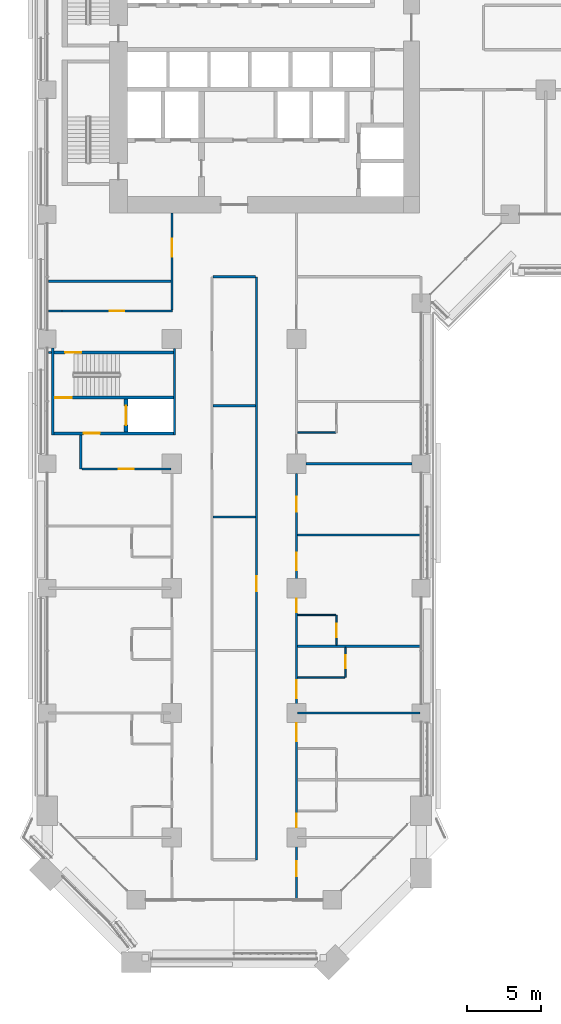
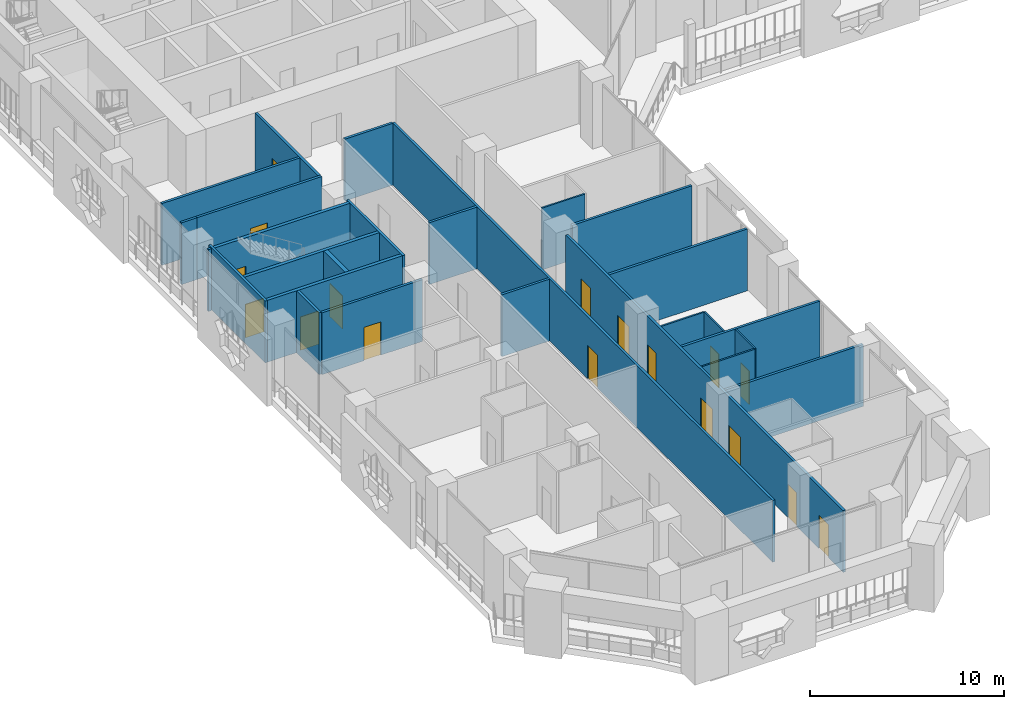
# One storey, part 14 of 28: 27 walls, 17 doors, 17 openings.
"""IFC4 building model written with IfcOpenShell, lengths in metres."""

from ifc_helpers import new_model, si_unit, direction, frame, frame_2d, origin, place, context, subcontext, project, spatial, rectangle, extrude, material, layer, layer_set, type_object, element, fill, save


model = new_model("IFC4")

# Units and contexts
model_context = context("Model", 3, precision=1e-05, world=origin(), true_north=direction((0.0, 1.0)))
body_context = subcontext(model_context, "Body", "Model", "MODEL_VIEW")
ifc_project = project(units=[si_unit("LENGTHUNIT", "METRE"), si_unit("AREAUNIT", "SQUARE_METRE"), si_unit("VOLUMEUNIT", "CUBIC_METRE"), si_unit("PLANEANGLEUNIT", "RADIAN"), si_unit("MASSUNIT", "GRAM", prefix="KILO")], contexts=[model_context])

# Site, building, storey
site_placement = place(None, origin())
site = spatial("IfcSite", under=ifc_project, at=site_placement, CompositionType="ELEMENT")
building_placement = place(site_placement, origin())
building = spatial("IfcBuilding", under=site, at=building_placement, Name="Kawkab Arch Medical Tower", CompositionType="ELEMENT")
storey_placement = place(building_placement, frame((0.0, 0.0, 56.0)))
storey = spatial("IfcBuildingStorey", under=building, at=storey_placement, Name="L12", CompositionType="ELEMENT", Elevation=56.0)

# Wall, opening, door
ifc_material_1 = material(Name="Concrete C60/75", Category="concrete")
ifc_layer_1 = layer(ifc_material_1, 0.25)
ifc_layer_set_1 = layer_set([ifc_layer_1], Name="Concrete C60/75")
wall_type_1 = type_object("IfcWallType", Name="Core shear wall 250 C60/75", PredefinedType="SHEAR", material=ifc_layer_set_1)
wall_1_placement = place(storey_placement, frame((5.300048828125, -39.85009765625, 0.0), z_axis=(0.0, 0.0, 1.0), x_axis=(0.0, 1.0, 0.0)))
wall_1 = element("IfcWall", 1, at=wall_1_placement, inside=storey, type_object=wall_type_1, Name="L12 core shear wall", PredefinedType="SHEAR", context=body_context, shape_type="SweptSolid", body=[
    extrude(rectangle(XDim=2.2001953125, YDim=0.25, at=frame_2d((1.10009765625, 0.0))), origin(), (0.0, 0.0, 1.0), 3.89990234375),
])
opening_1_placement = place(wall_1_placement, frame((0.449951171875, 0.0, 0.0)))
opening_1 = element("IfcOpeningElement", 2, at=opening_1_placement, cuts=wall_1, Name="Opening LD2", PredefinedType="OPENING", context=body_context, shape_type="SweptSolid", body=[
    extrude(rectangle(XDim=1.300048828125, YDim=2.10009765625, at=frame_2d((0.64990234375, 1.050048828125))), frame((0.0, 0.135009765625, 0.0), z_axis=(0.0, -1.0, 0.0), x_axis=(1.0, 0.0, 0.0)), (0.0, 0.0, 1.0), 0.27001953125),
])
ifc_material_2 = material(Name="Stainless steel lift door leaf", Category="steel")
door_type_1 = type_object("IfcDoorType", Name="Lift landing door 1300", OperationType="DOUBLE_DOOR_SLIDING", PredefinedType="DOOR", material=ifc_material_2)
door_1_placement = place(opening_1_placement, origin())
door_1 = element("IfcDoor", 3, at=door_1_placement, inside=storey, type_object=door_type_1, Name="L12 Lift landing door SV2", OperationType="DOUBLE_DOOR_SLIDING", OverallHeight=2.10009765625, OverallWidth=1.300048828125, PredefinedType="DOOR", context=body_context, shape_type="SweptSolid", body=[
    extrude(rectangle(XDim=1.300048828125, YDim=2.10009765625, at=frame_2d((0.64990234375, 1.050048828125))), frame((0.0, 0.02490234375, 0.0), z_axis=(0.0, -1.0, 0.0), x_axis=(1.0, 0.0, 0.0)), (0.0, 0.0, 1.0), 0.050048828125),
])
fill(opening_1, door_1)

# Walls
ifc_material_3 = material(Name="Gypsum board partition on steel studs", Category="steel")
ifc_layer_2 = layer(ifc_material_3, 0.10009765625)
ifc_layer_set_2 = layer_set([ifc_layer_2], Name="Gypsum board partition on steel studs")
wall_type_2 = type_object("IfcWallType", Name="Partition 100", PredefinedType="PARTITIONING", material=ifc_layer_set_2)
wall_2_placement = place(storey_placement, frame((16.875, -56.39990234375, 0.0), z_axis=(0.0, 0.0, 1.0), x_axis=(1.0, 0.0, 0.0)))
element("IfcWall", 4, at=wall_2_placement, inside=storey, type_object=wall_type_2, Name="Partition 100 w005", PredefinedType="PARTITIONING", context=body_context, shape_type="SweptSolid", body=[
    extrude(rectangle(XDim=3.175048828125, YDim=0.10009765625, at=frame_2d((1.58740234375, 0.0))), origin(), (0.0, 0.0, 1.0), 3.89990234375),
])
wall_3_placement = place(storey_placement, frame((16.875, -52.199951171875, 0.0), z_axis=(0.0, 0.0, 1.0), x_axis=(1.0, 0.0, 0.0)))
element("IfcWall", 5, at=wall_3_placement, inside=storey, type_object=wall_type_2, Name="Partition 100 w008", PredefinedType="PARTITIONING", context=body_context, shape_type="SweptSolid", body=[
    extrude(rectangle(XDim=2.573974609375, YDim=0.10009765625, at=frame_2d((1.287109375, 0.0))), origin(), (0.0, 0.0, 1.0), 3.89990234375),
])
wall_4_placement = place(storey_placement, frame((16.875, -39.89990234375, 0.0), z_axis=(0.0, 0.0, 1.0), x_axis=(1.0, 0.0, 0.0)))
element("IfcWall", 6, at=wall_4_placement, inside=storey, type_object=wall_type_2, Name="Partition 100 w010", PredefinedType="PARTITIONING", context=body_context, shape_type="SweptSolid", body=[
    extrude(rectangle(XDim=2.574951171875, YDim=0.10009765625, at=frame_2d((1.28759765625, 0.0))), origin(), (0.0, 0.0, 1.0), 3.89990234375),
])

# Wall, opening, door
wall_5_placement = place(storey_placement, frame((19.5, -54.22509765625, 0.0), z_axis=(0.0, 0.0, 1.0), x_axis=(0.0, 1.0, 0.0)))
wall_5 = element("IfcWall", 7, at=wall_5_placement, inside=storey, type_object=wall_type_2, Name="Partition 100 w024", PredefinedType="PARTITIONING", context=body_context, shape_type="SweptSolid", body=[
    extrude(rectangle(XDim=2.023193359375, YDim=0.10009765625, at=frame_2d((1.01171875, 0.0))), origin(), (0.0, 0.0, 1.0), 3.89990234375),
])
opening_2_placement = place(wall_5_placement, frame((0.52392578125, 0.0, 0.0)))
opening_2 = element("IfcOpeningElement", 8, at=opening_2_placement, cuts=wall_5, Name="Opening W12-021", PredefinedType="OPENING", context=body_context, shape_type="SweptSolid", body=[
    extrude(rectangle(XDim=0.89990234375, YDim=2.10009765625, at=frame_2d((0.449951171875, 1.050048828125))), frame((0.0, 0.06005859375, 0.0), z_axis=(0.0, -1.0, 0.0), x_axis=(1.0, 0.0, 0.0)), (0.0, 0.0, 1.0), 0.1201171875),
])
ifc_material_4 = material(Name="Timber door leaf", Category="wood")
door_type_2 = type_object("IfcDoorType", Name="Single door 900x2100", OperationType="NOTDEFINED", PredefinedType="DOOR", material=ifc_material_4)
door_2_placement = place(opening_2_placement, origin())
door_2 = element("IfcDoor", 9, at=door_2_placement, inside=storey, type_object=door_type_2, Name="Door W12-021", OperationType="SINGLE_SWING_LEFT", OverallHeight=2.10009765625, OverallWidth=0.89990234375, PredefinedType="DOOR", context=body_context, shape_type="SweptSolid", body=[
    extrude(rectangle(XDim=0.89990234375, YDim=2.10009765625, at=frame_2d((0.449951171875, 1.050048828125))), frame((0.0, 0.02490234375, 0.0), z_axis=(0.0, -1.0, 0.0), x_axis=(1.0, 0.0, 0.0)), (0.0, 0.0, 1.0), 0.050048828125),
])
fill(opening_2, door_2)

wall_6_placement = place(storey_placement, frame((20.10009765625, -56.39990234375, 0.0), z_axis=(0.0, 0.0, 1.0), x_axis=(0.0, 1.0, 0.0)))
wall_6 = element("IfcWall", 10, at=wall_6_placement, inside=storey, type_object=wall_type_2, Name="Partition 100 w026", PredefinedType="PARTITIONING", context=body_context, shape_type="SweptSolid", body=[
    extrude(rectangle(XDim=2.02490234375, YDim=0.10009765625, at=frame_2d((1.012451171875, 0.0))), origin(), (0.0, 0.0, 1.0), 3.89990234375),
])
opening_3_placement = place(wall_6_placement, frame((0.60009765625, 0.0, 0.0)))
opening_3 = element("IfcOpeningElement", 11, at=opening_3_placement, cuts=wall_6, Name="Opening W12-022", PredefinedType="OPENING", context=body_context, shape_type="SweptSolid", body=[
    extrude(rectangle(XDim=0.89990234375, YDim=2.10009765625, at=frame_2d((0.449951171875, 1.050048828125))), frame((0.0, 0.06005859375, 0.0), z_axis=(0.0, -1.0, 0.0), x_axis=(1.0, 0.0, 0.0)), (0.0, 0.0, 1.0), 0.1201171875),
])
door_3_placement = place(opening_3_placement, origin())
door_3 = element("IfcDoor", 12, at=door_3_placement, inside=storey, type_object=door_type_2, Name="Door W12-022", OperationType="SINGLE_SWING_LEFT", OverallHeight=2.10009765625, OverallWidth=0.89990234375, PredefinedType="DOOR", context=body_context, shape_type="SweptSolid", body=[
    extrude(rectangle(XDim=0.89990234375, YDim=2.10009765625, at=frame_2d((0.449951171875, 1.050048828125))), frame((0.0, 0.02490234375, 0.0), z_axis=(0.0, -1.0, 0.0), x_axis=(1.0, 0.0, 0.0)), (0.0, 0.0, 1.0), 0.050048828125),
])
fill(opening_3, door_3)

# Walls
ifc_material_5 = material(Name="Gypsum board partition on steel studs, mineral wool", Category="steel")
ifc_layer_3 = layer(ifc_material_5, 0.14990234375)
ifc_layer_set_3 = layer_set([ifc_layer_3], Name="Gypsum board partition on steel studs, mineral wool")
wall_type_3 = type_object("IfcWallType", Name="Partition 150", PredefinedType="PARTITIONING", material=ifc_layer_set_3)
for number, where, z_axis, x_axis, name in (
    (13, (16.875, -58.800048828125, 0.0), (0.0, 0.0, 1.0), (1.0, 0.0, 0.0), "Partition 150 w044"),
    (14, (16.875, -54.300048828125, 0.0), (0.0, 0.0, 1.0), (1.0, 0.0, 0.0), "Partition 150 w046"),
    (15, (16.875, -46.800048828125, 0.0), (0.0, 0.0, 1.0), (1.0, 0.0, 0.0), "Partition 150 w048"),
):
    element("IfcWall", number, at=place(storey_placement, frame(where, z_axis=z_axis, x_axis=x_axis)), inside=storey, type_object=wall_type_3, Name=name, PredefinedType="PARTITIONING", context=body_context, shape_type="SweptSolid", body=[
        extrude(rectangle(XDim=8.2451171875, YDim=0.14990234375, at=frame_2d((4.12255859375, 0.0))), origin(), (0.0, 0.0, 1.0), 3.89990234375),
    ])
wall_7_placement = place(storey_placement, frame((11.175048828125, -45.60009765625, 0.0), z_axis=(0.0, 0.0, 1.0), x_axis=(1.0, 0.0, 0.0)))
element("IfcWall", 16, at=wall_7_placement, inside=storey, type_object=wall_type_3, Name="Partition 150 w050", PredefinedType="PARTITIONING", context=body_context, shape_type="SweptSolid", body=[
    extrude(rectangle(XDim=2.849853515625, YDim=0.14990234375, at=frame_2d((1.4248046875, 0.0))), origin(), (0.0, 0.0, 1.0), 3.89990234375),
])

# Wall, opening, door
wall_8_placement = place(storey_placement, frame((2.326904296875, -42.35009765625, 0.0), z_axis=(0.0, 0.0, 1.0), x_axis=(1.0, 0.0, 0.0)))
wall_8 = element("IfcWall", 17, at=wall_8_placement, inside=storey, type_object=wall_type_3, Name="Partition 150 w051", PredefinedType="PARTITIONING", context=body_context, shape_type="SweptSolid", body=[
    extrude(rectangle(XDim=5.998046875, YDim=0.14990234375, at=frame_2d((2.9990234375, 0.0))), origin(), (0.0, 0.0, 1.0), 3.89990234375),
])
opening_4_placement = place(wall_8_placement, frame((2.4990234375, 0.0, 0.0)))
opening_4 = element("IfcOpeningElement", 18, at=opening_4_placement, cuts=wall_8, Name="Opening W12-040", PredefinedType="OPENING", context=body_context, shape_type="SweptSolid", body=[
    extrude(rectangle(XDim=1.0, YDim=2.10009765625, at=frame_2d((0.5, 1.050048828125))), frame((0.0, 0.0849609375, 0.0), z_axis=(0.0, -1.0, 0.0), x_axis=(1.0, 0.0, 0.0)), (0.0, 0.0, 1.0), 0.169921875),
])
ifc_material_6 = material(Name="Hollow metal door leaf")
door_type_3 = type_object("IfcDoorType", Name="Single door 1000x2100 FD30S", OperationType="NOTDEFINED", PredefinedType="DOOR", material=ifc_material_6)
door_4_placement = place(opening_4_placement, origin())
door_4 = element("IfcDoor", 19, at=door_4_placement, inside=storey, type_object=door_type_3, Name="Door W12-040", OperationType="SINGLE_SWING_LEFT", OverallHeight=2.10009765625, OverallWidth=1.0, PredefinedType="DOOR", context=body_context, shape_type="SweptSolid", body=[
    extrude(rectangle(XDim=1.0, YDim=2.10009765625, at=frame_2d((0.5, 1.050048828125))), frame((0.0, 0.02490234375, 0.0), z_axis=(0.0, -1.0, 0.0), x_axis=(1.0, 0.0, 0.0)), (0.0, 0.0, 1.0), 0.050048828125),
])
fill(opening_4, door_4)

# Walls
wall_9_placement = place(storey_placement, frame((17.449951171875, -42.0, 0.0), z_axis=(0.0, 0.0, 1.0), x_axis=(1.0, 0.0, 0.0)))
element("IfcWall", 20, at=wall_9_placement, inside=storey, type_object=wall_type_3, Name="Partition 150 w052", PredefinedType="PARTITIONING", context=body_context, shape_type="SweptSolid", body=[
    extrude(rectangle(XDim=7.150146484375, YDim=0.14990234375, at=frame_2d((3.5751953125, 0.0))), origin(), (0.0, 0.0, 1.0), 3.89990234375),
])
wall_10_placement = place(storey_placement, frame((11.175048828125, -38.10009765625, 0.0), z_axis=(0.0, 0.0, 1.0), x_axis=(1.0, 0.0, 0.0)))
element("IfcWall", 21, at=wall_10_placement, inside=storey, type_object=wall_type_3, Name="Partition 150 w053", PredefinedType="PARTITIONING", context=body_context, shape_type="SweptSolid", body=[
    extrude(rectangle(XDim=2.849853515625, YDim=0.14990234375, at=frame_2d((1.4248046875, 0.0))), origin(), (0.0, 0.0, 1.0), 3.89990234375),
])
wall_11_placement = place(storey_placement, frame((0.080078125, -34.5, 0.0), z_axis=(0.0, 0.0, 1.0), x_axis=(1.0, 0.0, 0.0)))
element("IfcWall", 22, at=wall_11_placement, inside=storey, type_object=wall_type_3, Name="Partition 150 w055", PredefinedType="PARTITIONING", context=body_context, shape_type="SweptSolid", body=[
    extrude(rectangle(XDim=0.18994140625, YDim=0.14990234375, at=frame_2d((0.094970703125, 0.0))), origin(), (0.0, 0.0, 1.0), 3.89990234375),
])
wall_12_placement = place(storey_placement, frame((0.080078125, -31.70703125, 0.0), z_axis=(0.0, 0.0, 1.0), x_axis=(1.0, 0.0, 0.0)))
element("IfcWall", 23, at=wall_12_placement, inside=storey, type_object=wall_type_3, Name="Partition 150 w056", PredefinedType="PARTITIONING", context=body_context, shape_type="SweptSolid", body=[
    extrude(rectangle(XDim=0.919921875, YDim=0.14990234375, at=frame_2d((0.4599609375, 0.0))), origin(), (0.0, 0.0, 1.0), 3.89990234375),
])

# Wall, opening, door
wall_13_placement = place(storey_placement, frame((1.001953125, -31.70703125, 0.0), z_axis=(0.0, 0.0, 1.0), x_axis=(1.0, 0.0, 0.0)))
wall_13 = element("IfcWall", 24, at=wall_13_placement, inside=storey, type_object=wall_type_3, Name="Partition 150 w057", PredefinedType="PARTITIONING", context=body_context, shape_type="SweptSolid", body=[
    extrude(rectangle(XDim=7.447998046875, YDim=0.14990234375, at=frame_2d((3.72412109375, 0.0))), origin(), (0.0, 0.0, 1.0), 3.89990234375),
])
opening_5_placement = place(wall_13_placement, frame((3.198974609375, 0.0, 0.0)))
opening_5 = element("IfcOpeningElement", 25, at=opening_5_placement, cuts=wall_13, Name="Opening W12-039", PredefinedType="OPENING", context=body_context, shape_type="SweptSolid", body=[
    extrude(rectangle(XDim=1.0, YDim=2.10009765625, at=frame_2d((0.5, 1.050048828125))), frame((0.0, 0.0849609375, 0.0), z_axis=(0.0, -1.0, 0.0), x_axis=(1.0, 0.0, 0.0)), (0.0, 0.0, 1.0), 0.169921875),
])
door_5_placement = place(opening_5_placement, origin())
door_5 = element("IfcDoor", 26, at=door_5_placement, inside=storey, type_object=door_type_3, Name="Door W12-039", OperationType="SINGLE_SWING_LEFT", OverallHeight=2.10009765625, OverallWidth=1.0, PredefinedType="DOOR", context=body_context, shape_type="SweptSolid", body=[
    extrude(rectangle(XDim=1.0, YDim=2.10009765625, at=frame_2d((0.5, 1.050048828125))), frame((0.0, 0.02490234375, 0.0), z_axis=(0.0, -1.0, 0.0), x_axis=(1.0, 0.0, 0.0)), (0.0, 0.0, 1.0), 0.050048828125),
])
fill(opening_5, door_5)

# Walls
wall_14_placement = place(storey_placement, frame((0.080078125, -29.699951171875, 0.0), z_axis=(0.0, 0.0, 1.0), x_axis=(1.0, 0.0, 0.0)))
element("IfcWall", 27, at=wall_14_placement, inside=storey, type_object=wall_type_3, Name="Partition 150 w058", PredefinedType="PARTITIONING", context=body_context, shape_type="SweptSolid", body=[
    extrude(rectangle(XDim=8.244873046875, YDim=0.14990234375, at=frame_2d((4.12255859375, 0.0))), origin(), (0.0, 0.0, 1.0), 3.89990234375),
])
wall_15_placement = place(storey_placement, frame((11.175048828125, -29.39990234375, 0.0), z_axis=(0.0, 0.0, 1.0), x_axis=(1.0, 0.0, 0.0)))
element("IfcWall", 28, at=wall_15_placement, inside=storey, type_object=wall_type_3, Name="Partition 150 w059", PredefinedType="PARTITIONING", context=body_context, shape_type="SweptSolid", body=[
    extrude(rectangle(XDim=2.849853515625, YDim=0.14990234375, at=frame_2d((1.4248046875, 0.0))), origin(), (0.0, 0.0, 1.0), 3.89990234375),
])
wall_16_placement = place(storey_placement, frame((2.25, -42.347900390625, 0.0), z_axis=(0.0, 0.0, 1.0), x_axis=(0.0, 1.0, 0.0)))
element("IfcWall", 29, at=wall_16_placement, inside=storey, type_object=wall_type_3, Name="Partition 150 w070", PredefinedType="PARTITIONING", context=body_context, shape_type="SweptSolid", body=[
    extrude(rectangle(XDim=2.2978515625, YDim=0.14990234375, at=frame_2d((1.14892578125, 0.0))), origin(), (0.0, 0.0, 1.0), 3.89990234375),
])

# Wall, opening, door
wall_17_placement = place(storey_placement, frame((8.39990234375, -31.632080078125, 0.0), z_axis=(0.0, 0.0, 1.0), x_axis=(0.0, 1.0, 0.0)))
wall_17 = element("IfcWall", 30, at=wall_17_placement, inside=storey, type_object=wall_type_3, Name="Partition 150 w074", PredefinedType="PARTITIONING", context=body_context, shape_type="SweptSolid", body=[
    extrude(rectangle(XDim=6.531982421875, YDim=0.14990234375, at=frame_2d((3.26611328125, 0.0))), origin(), (0.0, 0.0, 1.0), 3.89990234375),
])
opening_6_placement = place(wall_17_placement, frame((3.58203125, 0.0, 0.0)))
opening_6 = element("IfcOpeningElement", 31, at=opening_6_placement, cuts=wall_17, Name="Opening W12-061", PredefinedType="OPENING", context=body_context, shape_type="SweptSolid", body=[
    extrude(rectangle(XDim=1.199951171875, YDim=2.10009765625, at=frame_2d((0.60009765625, 1.050048828125))), frame((0.0, 0.0849609375, 0.0), z_axis=(0.0, -1.0, 0.0), x_axis=(1.0, 0.0, 0.0)), (0.0, 0.0, 1.0), 0.169921875),
])
ifc_material_7 = material(Name="Hollow metal door leaf")
door_type_4 = type_object("IfcDoorType", Name="Single door 1200x2100 FD30S", OperationType="NOTDEFINED", PredefinedType="DOOR", material=ifc_material_7)
door_6_placement = place(opening_6_placement, origin())
door_6 = element("IfcDoor", 32, at=door_6_placement, inside=storey, type_object=door_type_4, Name="Door W12-061", OperationType="SINGLE_SWING_RIGHT", OverallHeight=2.10009765625, OverallWidth=1.199951171875, PredefinedType="DOOR", context=body_context, shape_type="SweptSolid", body=[
    extrude(rectangle(XDim=1.199951171875, YDim=2.10009765625, at=frame_2d((0.60009765625, 1.050048828125))), frame((0.0, 0.02490234375, 0.0), z_axis=(0.0, -1.0, 0.0), x_axis=(1.0, 0.0, 0.0)), (0.0, 0.0, 1.0), 0.050048828125),
])
fill(opening_6, door_6)

wall_18_placement = place(storey_placement, frame((14.10009765625, -68.699951171875, 0.0), z_axis=(0.0, 0.0, 1.0), x_axis=(0.0, 1.0, 0.0)))
wall_18 = element("IfcWall", 33, at=wall_18_placement, inside=storey, type_object=wall_type_3, Name="Partition 150 w076", PredefinedType="PARTITIONING", context=body_context, shape_type="SweptSolid", body=[
    extrude(rectangle(XDim=39.300048828125, YDim=0.14990234375, at=frame_2d((19.64990234375, 0.0))), origin(), (0.0, 0.0, 1.0), 3.89990234375),
])
opening_7_placement = place(wall_18_placement, frame((18.10009765625, 0.0, 0.0)))
opening_7 = element("IfcOpeningElement", 34, at=opening_7_placement, cuts=wall_18, Name="Opening W12-043", PredefinedType="OPENING", context=body_context, shape_type="SweptSolid", body=[
    extrude(rectangle(XDim=1.0, YDim=2.10009765625, at=frame_2d((0.5, 1.050048828125))), frame((0.0, 0.0849609375, 0.0), z_axis=(0.0, -1.0, 0.0), x_axis=(1.0, 0.0, 0.0)), (0.0, 0.0, 1.0), 0.169921875),
])
door_7_placement = place(opening_7_placement, origin())
door_7 = element("IfcDoor", 35, at=door_7_placement, inside=storey, type_object=door_type_3, Name="Door W12-043", OperationType="SINGLE_SWING_LEFT", OverallHeight=2.10009765625, OverallWidth=1.0, PredefinedType="DOOR", context=body_context, shape_type="SweptSolid", body=[
    extrude(rectangle(XDim=1.0, YDim=2.10009765625, at=frame_2d((0.5, 1.050048828125))), frame((0.0, 0.02490234375, 0.0), z_axis=(0.0, -1.0, 0.0), x_axis=(1.0, 0.0, 0.0)), (0.0, 0.0, 1.0), 0.050048828125),
])
fill(opening_7, door_7)

# Wall, openings, doors
wall_19_placement = place(storey_placement, frame((16.800048828125, -71.320068359375, 0.0), z_axis=(0.0, 0.0, 1.0), x_axis=(0.0, 1.0, 0.0)))
wall_19 = element("IfcWall", 36, at=wall_19_placement, inside=storey, type_object=wall_type_3, Name="Partition 150 w077", PredefinedType="PARTITIONING", context=body_context, shape_type="SweptSolid", body=[
    extrude(rectangle(XDim=28.670166015625, YDim=0.14990234375, at=frame_2d((14.3349609375, 0.0))), origin(), (0.0, 0.0, 1.0), 3.89990234375),
])
opening_8_placement = place(wall_19_placement, frame((26.094970703125, 0.0, 0.0)))
opening_8 = element("IfcOpeningElement", 37, at=opening_8_placement, cuts=wall_19, Name="Opening W12-031", PredefinedType="OPENING", context=body_context, shape_type="SweptSolid", body=[
    extrude(rectangle(XDim=1.0, YDim=2.10009765625, at=frame_2d((0.5, 1.050048828125))), frame((0.0, 0.0849609375, 0.0), z_axis=(0.0, -1.0, 0.0), x_axis=(1.0, 0.0, 0.0)), (0.0, 0.0, 1.0), 0.169921875),
])
opening_9_placement = place(wall_19_placement, frame((22.1201171875, 0.0, 0.0)))
opening_9 = element("IfcOpeningElement", 38, at=opening_9_placement, cuts=wall_19, Name="Opening W12-070", PredefinedType="OPENING", context=body_context, shape_type="SweptSolid", body=[
    extrude(rectangle(XDim=1.199951171875, YDim=2.10009765625, at=frame_2d((0.60009765625, 1.050048828125))), frame((0.0, 0.0849609375, 0.0), z_axis=(0.0, -1.0, 0.0), x_axis=(1.0, 0.0, 0.0)), (0.0, 0.0, 1.0), 0.169921875),
])
opening_10_placement = place(wall_19_placement, frame((19.320068359375, 0.0, 0.0)))
opening_10 = element("IfcOpeningElement", 39, at=opening_10_placement, cuts=wall_19, Name="Opening W12-028", PredefinedType="OPENING", context=body_context, shape_type="SweptSolid", body=[
    extrude(rectangle(XDim=0.89990234375, YDim=2.10009765625, at=frame_2d((0.449951171875, 1.050048828125))), frame((0.0, 0.0849609375, 0.0), z_axis=(0.0, -1.0, 0.0), x_axis=(1.0, 0.0, 0.0)), (0.0, 0.0, 1.0), 0.169921875),
])
opening_11_placement = place(wall_19_placement, frame((13.52001953125, 0.0, 0.0)))
opening_11 = element("IfcOpeningElement", 40, at=opening_11_placement, cuts=wall_19, Name="Opening W12-071", PredefinedType="OPENING", context=body_context, shape_type="SweptSolid", body=[
    extrude(rectangle(XDim=1.199951171875, YDim=2.10009765625, at=frame_2d((0.60009765625, 1.050048828125))), frame((0.0, 0.0849609375, 0.0), z_axis=(0.0, -1.0, 0.0), x_axis=(1.0, 0.0, 0.0)), (0.0, 0.0, 1.0), 0.169921875),
])
opening_12_placement = place(wall_19_placement, frame((10.6201171875, 0.0, 0.0)))
opening_12 = element("IfcOpeningElement", 41, at=opening_12_placement, cuts=wall_19, Name="Opening W12-072", PredefinedType="OPENING", context=body_context, shape_type="SweptSolid", body=[
    extrude(rectangle(XDim=1.199951171875, YDim=2.10009765625, at=frame_2d((0.60009765625, 1.050048828125))), frame((0.0, 0.0849609375, 0.0), z_axis=(0.0, -1.0, 0.0), x_axis=(1.0, 0.0, 0.0)), (0.0, 0.0, 1.0), 0.169921875),
])
opening_13_placement = place(wall_19_placement, frame((4.820068359375, 0.0, 0.0)))
opening_13 = element("IfcOpeningElement", 42, at=opening_13_placement, cuts=wall_19, Name="Opening W12-029", PredefinedType="OPENING", context=body_context, shape_type="SweptSolid", body=[
    extrude(rectangle(XDim=0.89990234375, YDim=2.10009765625, at=frame_2d((0.449951171875, 1.050048828125))), frame((0.0, 0.0849609375, 0.0), z_axis=(0.0, -1.0, 0.0), x_axis=(1.0, 0.0, 0.0)), (0.0, 0.0, 1.0), 0.169921875),
])
opening_14_placement = place(wall_19_placement, frame((1.52001953125, 0.0, 0.0)))
opening_14 = element("IfcOpeningElement", 43, at=opening_14_placement, cuts=wall_19, Name="Opening W12-045", PredefinedType="OPENING", context=body_context, shape_type="SweptSolid", body=[
    extrude(rectangle(XDim=1.0, YDim=2.10009765625, at=frame_2d((0.5, 1.050048828125))), frame((0.0, 0.0849609375, 0.0), z_axis=(0.0, -1.0, 0.0), x_axis=(1.0, 0.0, 0.0)), (0.0, 0.0, 1.0), 0.169921875),
])
ifc_material_8 = material(Name="Timber door leaf", Category="wood")
door_type_5 = type_object("IfcDoorType", Name="Single door 1000x2100", OperationType="NOTDEFINED", PredefinedType="DOOR", material=ifc_material_8)
door_8_placement = place(opening_8_placement, origin())
door_8 = element("IfcDoor", 44, at=door_8_placement, inside=storey, type_object=door_type_5, Name="Door W12-031", OperationType="SINGLE_SWING_LEFT", OverallHeight=2.10009765625, OverallWidth=1.0, PredefinedType="DOOR", context=body_context, shape_type="SweptSolid", body=[
    extrude(rectangle(XDim=1.0, YDim=2.10009765625, at=frame_2d((0.5, 1.050048828125))), frame((0.0, 0.02490234375, 0.0), z_axis=(0.0, -1.0, 0.0), x_axis=(1.0, 0.0, 0.0)), (0.0, 0.0, 1.0), 0.050048828125),
])
fill(opening_8, door_8)
door_9_placement = place(opening_14_placement, origin())
door_9 = element("IfcDoor", 45, at=door_9_placement, inside=storey, type_object=door_type_3, Name="Door W12-045", OperationType="SINGLE_SWING_RIGHT", OverallHeight=2.10009765625, OverallWidth=1.0, PredefinedType="DOOR", context=body_context, shape_type="SweptSolid", body=[
    extrude(rectangle(XDim=1.0, YDim=2.10009765625, at=frame_2d((0.5, 1.050048828125))), frame((0.0, 0.02490234375, 0.0), z_axis=(0.0, -1.0, 0.0), x_axis=(1.0, 0.0, 0.0)), (0.0, 0.0, 1.0), 0.050048828125),
])
fill(opening_14, door_9)
door_10_placement = place(opening_9_placement, origin())
door_10 = element("IfcDoor", 46, at=door_10_placement, inside=storey, type_object=door_type_4, Name="Door W12-070", OperationType="SINGLE_SWING_LEFT", OverallHeight=2.10009765625, OverallWidth=1.199951171875, PredefinedType="DOOR", context=body_context, shape_type="SweptSolid", body=[
    extrude(rectangle(XDim=1.199951171875, YDim=2.10009765625, at=frame_2d((0.60009765625, 1.050048828125))), frame((0.0, 0.02490234375, 0.0), z_axis=(0.0, -1.0, 0.0), x_axis=(1.0, 0.0, 0.0)), (0.0, 0.0, 1.0), 0.050048828125),
])
fill(opening_9, door_10)
door_11_placement = place(opening_11_placement, origin())
door_11 = element("IfcDoor", 47, at=door_11_placement, inside=storey, type_object=door_type_4, Name="Door W12-071", OperationType="SINGLE_SWING_RIGHT", OverallHeight=2.10009765625, OverallWidth=1.199951171875, PredefinedType="DOOR", context=body_context, shape_type="SweptSolid", body=[
    extrude(rectangle(XDim=1.199951171875, YDim=2.10009765625, at=frame_2d((0.60009765625, 1.050048828125))), frame((0.0, 0.02490234375, 0.0), z_axis=(0.0, -1.0, 0.0), x_axis=(1.0, 0.0, 0.0)), (0.0, 0.0, 1.0), 0.050048828125),
])
fill(opening_11, door_11)
door_12_placement = place(opening_12_placement, origin())
door_12 = element("IfcDoor", 48, at=door_12_placement, inside=storey, type_object=door_type_4, Name="Door W12-072", OperationType="SINGLE_SWING_RIGHT", OverallHeight=2.10009765625, OverallWidth=1.199951171875, PredefinedType="DOOR", context=body_context, shape_type="SweptSolid", body=[
    extrude(rectangle(XDim=1.199951171875, YDim=2.10009765625, at=frame_2d((0.60009765625, 1.050048828125))), frame((0.0, 0.02490234375, 0.0), z_axis=(0.0, -1.0, 0.0), x_axis=(1.0, 0.0, 0.0)), (0.0, 0.0, 1.0), 0.050048828125),
])
fill(opening_12, door_12)
ifc_material_9 = material(Name="Hollow metal door leaf")
door_type_6 = type_object("IfcDoorType", Name="Single door 900x2100 FD30S", OperationType="NOTDEFINED", PredefinedType="DOOR", material=ifc_material_9)
door_13_placement = place(opening_10_placement, origin())
door_13 = element("IfcDoor", 49, at=door_13_placement, inside=storey, type_object=door_type_6, Name="Door W12-028", OperationType="SINGLE_SWING_LEFT", OverallHeight=2.10009765625, OverallWidth=0.89990234375, PredefinedType="DOOR", context=body_context, shape_type="SweptSolid", body=[
    extrude(rectangle(XDim=0.89990234375, YDim=2.10009765625, at=frame_2d((0.449951171875, 1.050048828125))), frame((0.0, 0.02490234375, 0.0), z_axis=(0.0, -1.0, 0.0), x_axis=(1.0, 0.0, 0.0)), (0.0, 0.0, 1.0), 0.050048828125),
])
fill(opening_10, door_13)
door_14_placement = place(opening_13_placement, origin())
door_14 = element("IfcDoor", 50, at=door_14_placement, inside=storey, type_object=door_type_6, Name="Door W12-029", OperationType="SINGLE_SWING_RIGHT", OverallHeight=2.10009765625, OverallWidth=0.89990234375, PredefinedType="DOOR", context=body_context, shape_type="SweptSolid", body=[
    extrude(rectangle(XDim=0.89990234375, YDim=2.10009765625, at=frame_2d((0.449951171875, 1.050048828125))), frame((0.0, 0.02490234375, 0.0), z_axis=(0.0, -1.0, 0.0), x_axis=(1.0, 0.0, 0.0)), (0.0, 0.0, 1.0), 0.050048828125),
])
fill(opening_13, door_14)

# Walls
ifc_material_10 = material(Name="Concrete C50/60", Category="concrete")
ifc_layer_4 = layer(ifc_material_10, 0.14990234375)
ifc_layer_set_4 = layer_set([ifc_layer_4], Name="Concrete C50/60")
wall_type_4 = type_object("IfcWallType", Name="Stair enclosure wall 150 C50/60", PredefinedType="SHEAR", material=ifc_layer_set_4)
wall_20_placement = place(storey_placement, frame((0.375, -40.050048828125, 0.0), z_axis=(0.0, 0.0, 1.0), x_axis=(0.0, 1.0, 0.0)))
element("IfcWall", 51, at=wall_20_placement, inside=storey, type_object=wall_type_4, Name="L12 stair enclosure wall", PredefinedType="SHEAR", context=body_context, shape_type="SweptSolid", body=[
    extrude(rectangle(XDim=5.85009765625, YDim=0.14990234375, at=frame_2d((2.925048828125, 0.0))), origin(), (0.0, 0.0, 1.0), 3.89990234375),
])
wall_21_placement = place(storey_placement, frame((8.574951171875, -40.050048828125, 0.0), z_axis=(0.0, 0.0, 1.0), x_axis=(0.0, 1.0, 0.0)))
element("IfcWall", 52, at=wall_21_placement, inside=storey, type_object=wall_type_4, Name="L12 stair enclosure wall", PredefinedType="SHEAR", context=body_context, shape_type="SweptSolid", body=[
    extrude(rectangle(XDim=5.800048828125, YDim=0.14990234375, at=frame_2d((2.89990234375, 0.0))), origin(), (0.0, 0.0, 1.0), 3.89990234375),
])

# Wall, opening, door
ifc_material_11 = material(Name="Concrete C50/60", Category="concrete")
ifc_layer_5 = layer(ifc_material_11, 0.199951171875)
ifc_layer_set_5 = layer_set([ifc_layer_5], Name="Concrete C50/60")
wall_type_5 = type_object("IfcWallType", Name="Stair enclosure wall 200 C50/60", PredefinedType="SHEAR", material=ifc_layer_set_5)
wall_22_placement = place(storey_placement, frame((0.449951171875, -34.5, 0.0), z_axis=(0.0, 0.0, 1.0), x_axis=(1.0, 0.0, 0.0)))
wall_22 = element("IfcWall", 53, at=wall_22_placement, inside=storey, type_object=wall_type_5, Name="L12 stair enclosure wall", PredefinedType="SHEAR", context=body_context, shape_type="SweptSolid", body=[
    extrude(rectangle(XDim=8.050048828125, YDim=0.199951171875, at=frame_2d((4.02490234375, 0.0))), origin(), (0.0, 0.0, 1.0), 3.89990234375),
])
opening_15_placement = place(wall_22_placement, frame((0.75, 0.0, 0.0)))
opening_15 = element("IfcOpeningElement", 54, at=opening_15_placement, cuts=wall_22, Name="Opening SD", PredefinedType="OPENING", context=body_context, shape_type="SweptSolid", body=[
    extrude(rectangle(XDim=1.10009765625, YDim=2.10009765625, at=frame_2d((0.550048828125, 1.050048828125))), frame((0.0, 0.10986328125, 0.0), z_axis=(0.0, -1.0, 0.0), x_axis=(1.0, 0.0, 0.0)), (0.0, 0.0, 1.0), 0.219970703125),
])
ifc_material_12 = material(Name="Hollow metal fire door leaf")
door_type_7 = type_object("IfcDoorType", Name="Exit stair door 1100", OperationType="SINGLE_SWING_LEFT", PredefinedType="DOOR", material=ifc_material_12)
door_15_placement = place(opening_15_placement, origin())
door_15 = element("IfcDoor", 55, at=door_15_placement, inside=storey, type_object=door_type_7, Name="L12 Exit stair ST6 door", OperationType="SINGLE_SWING_LEFT", OverallHeight=2.10009765625, OverallWidth=1.10009765625, PredefinedType="DOOR", context=body_context, shape_type="SweptSolid", body=[
    extrude(rectangle(XDim=1.10009765625, YDim=2.10009765625, at=frame_2d((0.550048828125, 1.050048828125))), frame((0.0, 0.02490234375, 0.0), z_axis=(0.0, -1.0, 0.0), x_axis=(1.0, 0.0, 0.0)), (0.0, 0.0, 1.0), 0.050048828125),
])
fill(opening_15, door_15)

wall_23_placement = place(storey_placement, frame((0.449951171875, -37.550048828125, 0.0), z_axis=(0.0, 0.0, 1.0), x_axis=(1.0, 0.0, 0.0)))
wall_23 = element("IfcWall", 56, at=wall_23_placement, inside=storey, type_object=wall_type_5, Name="L12 stair enclosure wall", PredefinedType="SHEAR", context=body_context, shape_type="SweptSolid", body=[
    extrude(rectangle(XDim=8.050048828125, YDim=0.199951171875, at=frame_2d((4.02490234375, 0.0))), origin(), (0.0, 0.0, 1.0), 3.89990234375),
])
opening_16_placement = place(wall_23_placement, frame((0.10009765625, 0.0, 0.0)))
opening_16 = element("IfcOpeningElement", 57, at=opening_16_placement, cuts=wall_23, Name="Opening SD", PredefinedType="OPENING", context=body_context, shape_type="SweptSolid", body=[
    extrude(rectangle(XDim=1.10009765625, YDim=2.10009765625, at=frame_2d((0.550048828125, 1.050048828125))), frame((0.0, 0.10986328125, 0.0), z_axis=(0.0, -1.0, 0.0), x_axis=(1.0, 0.0, 0.0)), (0.0, 0.0, 1.0), 0.219970703125),
])
door_16_placement = place(opening_16_placement, frame((1.10009765625, 0.0, 0.0), z_axis=(0.0, 0.0, 1.0), x_axis=(-1.0, 0.0, 0.0)))
door_16 = element("IfcDoor", 58, at=door_16_placement, inside=storey, type_object=door_type_7, Name="L12 Exit stair ST6 lobby door", OperationType="SINGLE_SWING_LEFT", OverallHeight=2.10009765625, OverallWidth=1.10009765625, PredefinedType="DOOR", context=body_context, shape_type="SweptSolid", body=[
    extrude(rectangle(XDim=1.10009765625, YDim=2.10009765625, at=frame_2d((0.550048828125, 1.050048828125))), frame((0.0, 0.02490234375, 0.0), z_axis=(0.0, -1.0, 0.0), x_axis=(1.0, 0.0, 0.0)), (0.0, 0.0, 1.0), 0.050048828125),
])
fill(opening_16, door_16)

wall_24_placement = place(storey_placement, frame((0.449951171875, -39.949951171875, 0.0), z_axis=(0.0, 0.0, 1.0), x_axis=(1.0, 0.0, 0.0)))
wall_24 = element("IfcWall", 59, at=wall_24_placement, inside=storey, type_object=wall_type_5, Name="L12 stair enclosure wall", PredefinedType="SHEAR", context=body_context, shape_type="SweptSolid", body=[
    extrude(rectangle(XDim=8.050048828125, YDim=0.199951171875, at=frame_2d((4.02490234375, 0.0))), origin(), (0.0, 0.0, 1.0), 3.89990234375),
])
opening_17_placement = place(wall_24_placement, frame((2.0, 0.0, 0.0)))
opening_17 = element("IfcOpeningElement", 60, at=opening_17_placement, cuts=wall_24, Name="Opening FD", PredefinedType="OPENING", context=body_context, shape_type="SweptSolid", body=[
    extrude(rectangle(XDim=1.10009765625, YDim=2.10009765625, at=frame_2d((0.550048828125, 1.050048828125))), frame((0.0, 0.10986328125, 0.0), z_axis=(0.0, -1.0, 0.0), x_axis=(1.0, 0.0, 0.0)), (0.0, 0.0, 1.0), 0.219970703125),
])
ifc_material_13 = material(Name="Hollow metal fire door leaf")
door_type_8 = type_object("IfcDoorType", Name="Firefighting lobby door 1100", OperationType="SINGLE_SWING_LEFT", PredefinedType="DOOR", material=ifc_material_13)
door_17_placement = place(opening_17_placement, origin())
door_17 = element("IfcDoor", 61, at=door_17_placement, inside=storey, type_object=door_type_8, Name="L12 Service lift lobby door SV2", OperationType="SINGLE_SWING_LEFT", OverallHeight=2.10009765625, OverallWidth=1.10009765625, PredefinedType="DOOR", context=body_context, shape_type="SweptSolid", body=[
    extrude(rectangle(XDim=1.10009765625, YDim=2.10009765625, at=frame_2d((0.550048828125, 1.050048828125))), frame((0.0, 0.02490234375, 0.0), z_axis=(0.0, -1.0, 0.0), x_axis=(1.0, 0.0, 0.0)), (0.0, 0.0, 1.0), 0.050048828125),
])
fill(opening_17, door_17)

save(model, "model.ifc")
